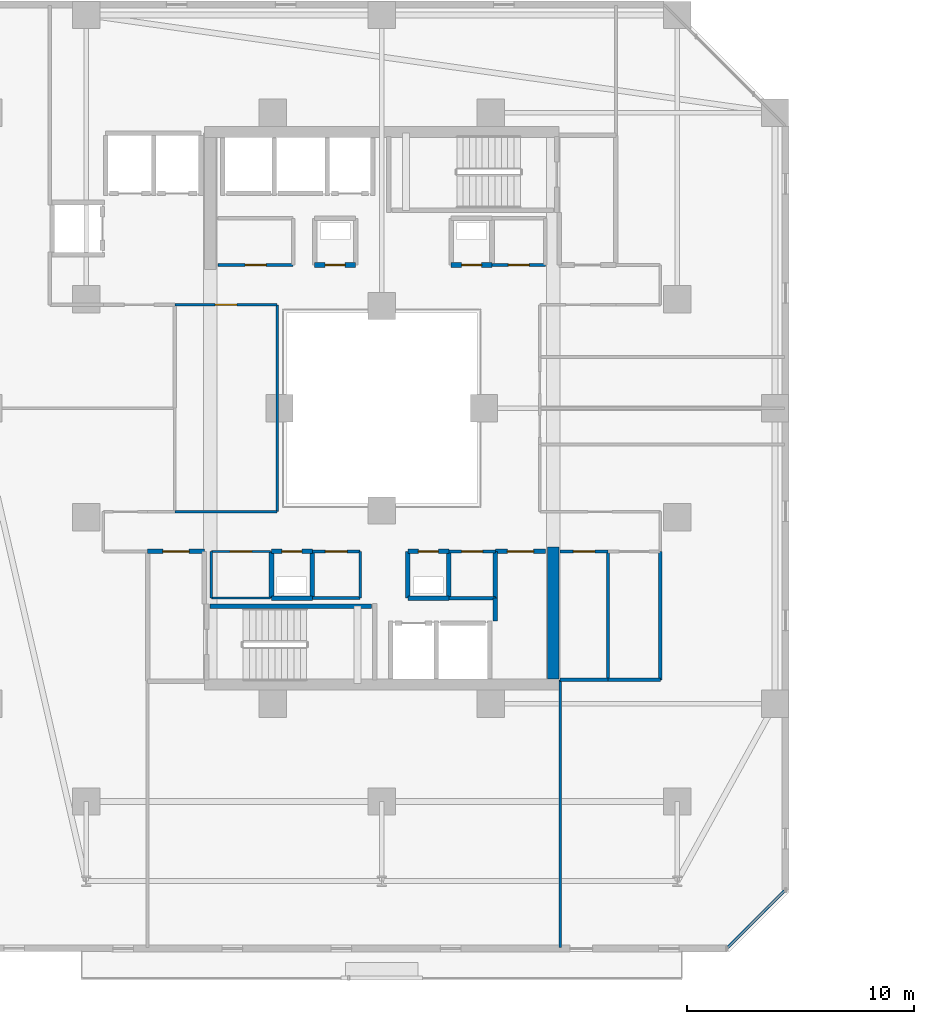
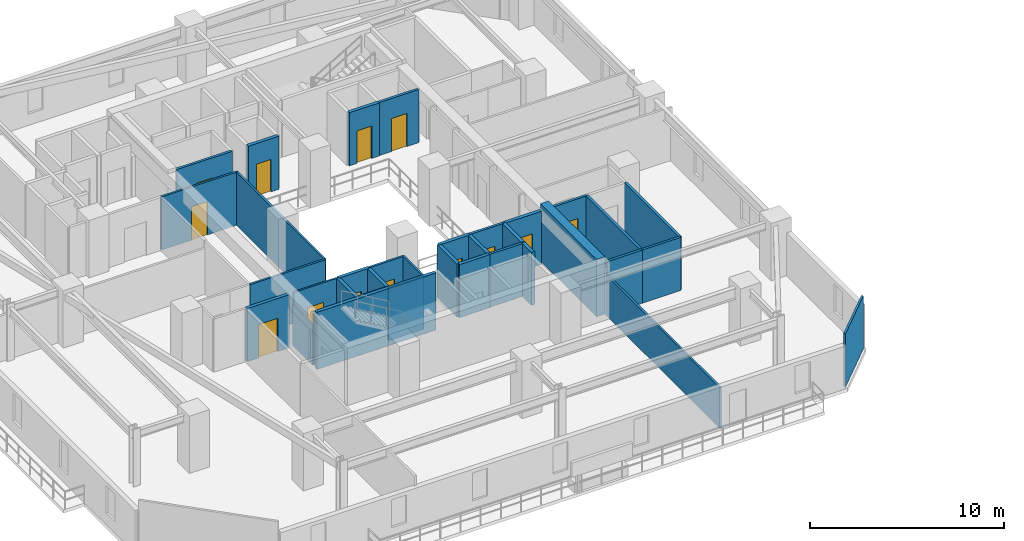
# One storey, part 19 of 33: 36 walls, 13 doors, 13 openings.
"""IFC4 building model written with IfcOpenShell, lengths in metres."""

from ifc_helpers import new_model, si_unit, direction, frame, frame_2d, origin, place, context, subcontext, project, spatial, rectangle, extrude, material, layer, layer_set, type_object, element, fill, save


model = new_model("IFC4")

# Units and contexts
model_context = context("Model", 3, precision=1e-05, world=origin(), true_north=direction((0.0, 1.0)))
body_context = subcontext(model_context, "Body", "Model", "MODEL_VIEW")
ifc_project = project(units=[si_unit("LENGTHUNIT", "METRE"), si_unit("AREAUNIT", "SQUARE_METRE"), si_unit("VOLUMEUNIT", "CUBIC_METRE"), si_unit("PLANEANGLEUNIT", "RADIAN"), si_unit("MASSUNIT", "GRAM", prefix="KILO")], contexts=[model_context])

# Site, building, storey
site_placement = place(None, origin())
site = spatial("IfcSite", under=ifc_project, at=site_placement, CompositionType="ELEMENT")
building_placement = place(site_placement, origin())
building = spatial("IfcBuilding", under=site, at=building_placement, Name="Thornwick Lancets Civic Towers", CompositionType="ELEMENT")
storey_placement = place(building_placement, frame((0.0, 0.0, 130.5)))
storey = spatial("IfcBuildingStorey", under=building, at=storey_placement, Name="L34", CompositionType="ELEMENT", Elevation=130.5)

# Wall, opening, door
ifc_material_1 = material(Name="Concrete blockwork C40/50", Category="masonry")
ifc_layer_1 = layer(ifc_material_1, 0.199951171875, Name="Concrete blockwork C40/50")
ifc_layer_set_1 = layer_set([ifc_layer_1], Name="Concrete blockwork C40/50")
wall_type_1 = type_object("IfcWallType", Name="WALL_COMP_200", PredefinedType="STANDARD", material=ifc_layer_set_1)
wall_1_placement = place(storey_placement, frame((17.699951171875, 20.699951171875, 0.0), z_axis=(0.0, 0.0, 1.0), x_axis=(-1.0, 0.0, 0.0)))
wall_1 = element("IfcWall", 1, at=wall_1_placement, inside=storey, type_object=wall_type_1, Name="L34 Partition L34-A-FFLOB1 E3", PredefinedType="STANDARD", context=body_context, shape_type="SweptSolid", body=[
    extrude(rectangle(XDim=2.5, YDim=0.199951171875, at=frame_2d((1.25, 0.0))), origin(), (0.0, 0.0, 1.0), 3.340087890625),
])
opening_1_placement = place(wall_1_placement, frame((0.675048828125, 0.0, 0.0)))
opening_1 = element("IfcOpeningElement", 2, at=opening_1_placement, cuts=wall_1, Name="Opening D-L34-1529", PredefinedType="OPENING", context=body_context, shape_type="SweptSolid", body=[
    extrude(rectangle(XDim=1.14990234375, YDim=2.10009765625, at=frame_2d((0.574951171875, 1.050048828125))), frame((0.0, 0.10986328125, 0.0), z_axis=(0.0, -1.0, 0.0), x_axis=(1.0, 0.0, 0.0)), (0.0, 0.0, 1.0), 0.219970703125),
])
ifc_material_2 = material(Name="Glazed fire-resisting steel", Category="steel")
door_type_1 = type_object("IfcDoorType", Name="DOOR_LOBBY_FD60", OperationType="NOTDEFINED", PredefinedType="DOOR", material=ifc_material_2)
door_1_placement = place(opening_1_placement, origin())
door_1 = element("IfcDoor", 3, at=door_1_placement, inside=storey, type_object=door_type_1, Name="L34 South Firefighting Lobby 1 Door", OperationType="SINGLE_SWING_RIGHT", OverallHeight=2.10009765625, OverallWidth=1.14990234375, PredefinedType="DOOR", context=body_context, shape_type="SweptSolid", body=[
    extrude(rectangle(XDim=1.14990234375, YDim=2.10009765625, at=frame_2d((0.574951171875, 1.050048828125))), frame((0.0, 0.02490234375, 0.0), z_axis=(0.0, -1.0, 0.0), x_axis=(1.0, 0.0, 0.0)), (0.0, 0.0, 1.0), 0.050048828125),
])
fill(opening_1, door_1)

# Walls
wall_2_placement = place(storey_placement, frame((26.64990234375, 18.64990234375, 0.0), z_axis=(0.0, 0.0, 1.0), x_axis=(1.0, 0.0, 0.0)))
element("IfcWall", 4, at=wall_2_placement, inside=storey, type_object=wall_type_1, Name="L34 Partition L34-A-DUCT1 E1", PredefinedType="STANDARD", context=body_context, shape_type="SweptSolid", body=[
    extrude(rectangle(XDim=1.800048828125, YDim=0.199951171875, at=frame_2d((0.89990234375, 0.0))), origin(), (0.0, 0.0, 1.0), 3.340087890625),
])
wall_3_placement = place(storey_placement, frame((28.449951171875, 18.64990234375, 0.0), z_axis=(0.0, 0.0, 1.0), x_axis=(0.0, 1.0, 0.0)))
element("IfcWall", 5, at=wall_3_placement, inside=storey, type_object=wall_type_1, Name="L34 Partition L34-A-DUCT1 E2", PredefinedType="STANDARD", context=body_context, shape_type="SweptSolid", body=[
    extrude(rectangle(XDim=2.050048828125, YDim=0.199951171875, at=frame_2d((1.02490234375, 0.0))), origin(), (0.0, 0.0, 1.0), 3.340087890625),
])

# Wall, opening, door
wall_4_placement = place(storey_placement, frame((28.449951171875, 20.699951171875, 0.0), z_axis=(0.0, 0.0, 1.0), x_axis=(-1.0, 0.0, 0.0)))
wall_4 = element("IfcWall", 6, at=wall_4_placement, inside=storey, type_object=wall_type_1, Name="L34 Partition L34-A-DUCT1 E3", PredefinedType="STANDARD", context=body_context, shape_type="SweptSolid", body=[
    extrude(rectangle(XDim=1.800048828125, YDim=0.199951171875, at=frame_2d((0.89990234375, 0.0))), origin(), (0.0, 0.0, 1.0), 3.340087890625),
])
opening_2_placement = place(wall_4_placement, frame((0.4599609375, 0.0, 0.0)))
opening_2 = element("IfcOpeningElement", 7, at=opening_2_placement, cuts=wall_4, Name="Opening D-L34-1531", PredefinedType="OPENING", context=body_context, shape_type="SweptSolid", body=[
    extrude(rectangle(XDim=0.8798828125, YDim=2.0400390625, at=frame_2d((0.43994140625, 1.02001953125))), frame((0.0, 0.10986328125, 0.0), z_axis=(0.0, -1.0, 0.0), x_axis=(1.0, 0.0, 0.0)), (0.0, 0.0, 1.0), 0.219970703125),
])
ifc_material_3 = material(Name="Steel riser access doorset", Category="steel")
door_type_2 = type_object("IfcDoorType", Name="DOOR_RISER_850", OperationType="NOTDEFINED", PredefinedType="DOOR", material=ifc_material_3)
door_2_placement = place(opening_2_placement, origin())
door_2 = element("IfcDoor", 8, at=door_2_placement, inside=storey, type_object=door_type_2, Name="L34 South Service Duct 1 Door", OperationType="SINGLE_SWING_RIGHT", OverallHeight=2.0400390625, OverallWidth=0.8798828125, PredefinedType="DOOR", context=body_context, shape_type="SweptSolid", body=[
    extrude(rectangle(XDim=0.8798828125, YDim=2.0400390625, at=frame_2d((0.43994140625, 1.02001953125))), frame((0.0, 0.02490234375, 0.0), z_axis=(0.0, -1.0, 0.0), x_axis=(1.0, 0.0, 0.0)), (0.0, 0.0, 1.0), 0.050048828125),
])
fill(opening_2, door_2)

# Walls
wall_5_placement = place(storey_placement, frame((26.64990234375, 20.699951171875, 0.0), z_axis=(0.0, 0.0, 1.0), x_axis=(0.0, -1.0, 0.0)))
element("IfcWall", 9, at=wall_5_placement, inside=storey, type_object=wall_type_1, Name="L34 Partition L34-A-DUCT1 E4", PredefinedType="STANDARD", context=body_context, shape_type="SweptSolid", body=[
    extrude(rectangle(XDim=2.050048828125, YDim=0.199951171875, at=frame_2d((1.02490234375, 0.0))), origin(), (0.0, 0.0, 1.0), 3.340087890625),
])
wall_6_placement = place(storey_placement, frame((20.64990234375, 18.64990234375, 0.0), z_axis=(0.0, 0.0, 1.0), x_axis=(1.0, 0.0, 0.0)))
element("IfcWall", 10, at=wall_6_placement, inside=storey, type_object=wall_type_1, Name="L34 Partition L34-A-RISER1 E1", PredefinedType="STANDARD", context=body_context, shape_type="SweptSolid", body=[
    extrude(rectangle(XDim=1.800048828125, YDim=0.199951171875, at=frame_2d((0.89990234375, 0.0))), origin(), (0.0, 0.0, 1.0), 3.340087890625),
])
wall_7_placement = place(storey_placement, frame((22.449951171875, 18.64990234375, 0.0), z_axis=(0.0, 0.0, 1.0), x_axis=(0.0, 1.0, 0.0)))
element("IfcWall", 11, at=wall_7_placement, inside=storey, type_object=wall_type_1, Name="L34 Partition L34-A-RISER1 E2", PredefinedType="STANDARD", context=body_context, shape_type="SweptSolid", body=[
    extrude(rectangle(XDim=2.050048828125, YDim=0.199951171875, at=frame_2d((1.02490234375, 0.0))), origin(), (0.0, 0.0, 1.0), 3.340087890625),
])

# Wall, opening, door
wall_8_placement = place(storey_placement, frame((22.449951171875, 20.699951171875, 0.0), z_axis=(0.0, 0.0, 1.0), x_axis=(-1.0, 0.0, 0.0)))
wall_8 = element("IfcWall", 12, at=wall_8_placement, inside=storey, type_object=wall_type_1, Name="L34 Partition L34-A-RISER1 E3", PredefinedType="STANDARD", context=body_context, shape_type="SweptSolid", body=[
    extrude(rectangle(XDim=1.800048828125, YDim=0.199951171875, at=frame_2d((0.89990234375, 0.0))), origin(), (0.0, 0.0, 1.0), 3.340087890625),
])
opening_3_placement = place(wall_8_placement, frame((0.4599609375, 0.0, 0.0)))
opening_3 = element("IfcOpeningElement", 13, at=opening_3_placement, cuts=wall_8, Name="Opening D-L34-1532", PredefinedType="OPENING", context=body_context, shape_type="SweptSolid", body=[
    extrude(rectangle(XDim=0.8798828125, YDim=2.0400390625, at=frame_2d((0.43994140625, 1.02001953125))), frame((0.0, 0.10986328125, 0.0), z_axis=(0.0, -1.0, 0.0), x_axis=(1.0, 0.0, 0.0)), (0.0, 0.0, 1.0), 0.219970703125),
])
door_3_placement = place(opening_3_placement, origin())
door_3 = element("IfcDoor", 14, at=door_3_placement, inside=storey, type_object=door_type_2, Name="L34 South Electrical Riser 1 Door", OperationType="SINGLE_SWING_LEFT", OverallHeight=2.0400390625, OverallWidth=0.8798828125, PredefinedType="DOOR", context=body_context, shape_type="SweptSolid", body=[
    extrude(rectangle(XDim=0.8798828125, YDim=2.0400390625, at=frame_2d((0.43994140625, 1.02001953125))), frame((0.0, 0.02490234375, 0.0), z_axis=(0.0, -1.0, 0.0), x_axis=(1.0, 0.0, 0.0)), (0.0, 0.0, 1.0), 0.050048828125),
])
fill(opening_3, door_3)

# Wall
wall_9_placement = place(storey_placement, frame((20.64990234375, 20.699951171875, 0.0), z_axis=(0.0, 0.0, 1.0), x_axis=(0.0, -1.0, 0.0)))
element("IfcWall", 15, at=wall_9_placement, inside=storey, type_object=wall_type_1, Name="L34 Partition L34-A-RISER1 E4", PredefinedType="STANDARD", context=body_context, shape_type="SweptSolid", body=[
    extrude(rectangle(XDim=2.050048828125, YDim=0.199951171875, at=frame_2d((1.02490234375, 0.0))), origin(), (0.0, 0.0, 1.0), 3.340087890625),
])

# Wall, opening, door
wall_10_placement = place(storey_placement, frame((22.550048828125, 33.300048828125, 0.0), z_axis=(0.0, 0.0, 1.0), x_axis=(1.0, 0.0, 0.0)))
wall_10 = element("IfcWall", 16, at=wall_10_placement, inside=storey, type_object=wall_type_1, Name="L34 Partition L34-A-DUCT2 E1", PredefinedType="STANDARD", context=body_context, shape_type="SweptSolid", body=[
    extrude(rectangle(XDim=1.800048828125, YDim=0.199951171875, at=frame_2d((0.89990234375, 0.0))), origin(), (0.0, 0.0, 1.0), 3.340087890625),
])
opening_4_placement = place(wall_10_placement, frame((0.4599609375, 0.0, 0.0)))
opening_4 = element("IfcOpeningElement", 17, at=opening_4_placement, cuts=wall_10, Name="Opening D-L34-1533", PredefinedType="OPENING", context=body_context, shape_type="SweptSolid", body=[
    extrude(rectangle(XDim=0.8798828125, YDim=2.0400390625, at=frame_2d((0.43994140625, 1.02001953125))), frame((0.0, 0.10986328125, 0.0), z_axis=(0.0, -1.0, 0.0), x_axis=(1.0, 0.0, 0.0)), (0.0, 0.0, 1.0), 0.219970703125),
])
door_4_placement = place(opening_4_placement, origin())
door_4 = element("IfcDoor", 18, at=door_4_placement, inside=storey, type_object=door_type_2, Name="L34 North Service Duct 2 Door", OperationType="SINGLE_SWING_RIGHT", OverallHeight=2.0400390625, OverallWidth=0.8798828125, PredefinedType="DOOR", context=body_context, shape_type="SweptSolid", body=[
    extrude(rectangle(XDim=0.8798828125, YDim=2.0400390625, at=frame_2d((0.43994140625, 1.02001953125))), frame((0.0, 0.02490234375, 0.0), z_axis=(0.0, -1.0, 0.0), x_axis=(1.0, 0.0, 0.0)), (0.0, 0.0, 1.0), 0.050048828125),
])
fill(opening_4, door_4)

wall_11_placement = place(storey_placement, frame((28.550048828125, 33.300048828125, 0.0), z_axis=(0.0, 0.0, 1.0), x_axis=(1.0, 0.0, 0.0)))
wall_11 = element("IfcWall", 19, at=wall_11_placement, inside=storey, type_object=wall_type_1, Name="L34 Partition L34-A-RISER2 E1", PredefinedType="STANDARD", context=body_context, shape_type="SweptSolid", body=[
    extrude(rectangle(XDim=1.800048828125, YDim=0.199951171875, at=frame_2d((0.89990234375, 0.0))), origin(), (0.0, 0.0, 1.0), 3.340087890625),
])
opening_5_placement = place(wall_11_placement, frame((0.4599609375, 0.0, 0.0)))
opening_5 = element("IfcOpeningElement", 20, at=opening_5_placement, cuts=wall_11, Name="Opening D-L34-1534", PredefinedType="OPENING", context=body_context, shape_type="SweptSolid", body=[
    extrude(rectangle(XDim=0.8798828125, YDim=2.0400390625, at=frame_2d((0.43994140625, 1.02001953125))), frame((0.0, 0.10986328125, 0.0), z_axis=(0.0, -1.0, 0.0), x_axis=(1.0, 0.0, 0.0)), (0.0, 0.0, 1.0), 0.219970703125),
])
door_5_placement = place(opening_5_placement, origin())
door_5 = element("IfcDoor", 21, at=door_5_placement, inside=storey, type_object=door_type_2, Name="L34 North Service Riser 2 Door", OperationType="SINGLE_SWING_LEFT", OverallHeight=2.0400390625, OverallWidth=0.8798828125, PredefinedType="DOOR", context=body_context, shape_type="SweptSolid", body=[
    extrude(rectangle(XDim=0.8798828125, YDim=2.0400390625, at=frame_2d((0.43994140625, 1.02001953125))), frame((0.0, 0.02490234375, 0.0), z_axis=(0.0, -1.0, 0.0), x_axis=(1.0, 0.0, 0.0)), (0.0, 0.0, 1.0), 0.050048828125),
])
fill(opening_5, door_5)

# Walls
wall_12_placement = place(storey_placement, frame((30.5, 17.64794921875, 0.0), z_axis=(0.0, 0.0, 1.0), x_axis=(0.0, 1.0, 0.0)))
element("IfcWall", 22, at=wall_12_placement, inside=storey, type_object=wall_type_1, Name="L34 Partition L34-A-STR2 E3", PredefinedType="STANDARD", context=body_context, shape_type="SweptSolid", body=[
    extrude(rectangle(XDim=1.001953125, YDim=0.199951171875, at=frame_2d((0.5009765625, 0.0))), origin(), (0.0, 0.0, 1.0), 3.340087890625),
])
wall_13_placement = place(storey_placement, frame((30.5, 18.64990234375, 0.0), z_axis=(0.0, 0.0, 1.0), x_axis=(0.0, 1.0, 0.0)))
element("IfcWall", 23, at=wall_13_placement, inside=storey, type_object=wall_type_1, Name="L34 Partition L34-A-STR2 E4", PredefinedType="STANDARD", context=body_context, shape_type="SweptSolid", body=[
    extrude(rectangle(XDim=2.050048828125, YDim=0.199951171875, at=frame_2d((1.02490234375, 0.0))), origin(), (0.0, 0.0, 1.0), 3.340087890625),
])

# Wall, opening, door
wall_14_placement = place(storey_placement, frame((30.5, 20.699951171875, 0.0), z_axis=(0.0, 0.0, 1.0), x_axis=(1.0, 0.0, 0.0)))
wall_14 = element("IfcWall", 24, at=wall_14_placement, inside=storey, type_object=wall_type_1, Name="L34 Partition L34-A-STR2 E5", PredefinedType="STANDARD", context=body_context, shape_type="SweptSolid", body=[
    extrude(rectangle(XDim=2.199951171875, YDim=0.199951171875, at=frame_2d((1.10009765625, 0.0))), origin(), (0.0, 0.0, 1.0), 3.340087890625),
])
opening_6_placement = place(wall_14_placement, frame((0.52490234375, 0.0, 0.0)))
opening_6 = element("IfcOpeningElement", 25, at=opening_6_placement, cuts=wall_14, Name="Opening D-L34-1538", PredefinedType="OPENING", context=body_context, shape_type="SweptSolid", body=[
    extrude(rectangle(XDim=1.14990234375, YDim=2.10009765625, at=frame_2d((0.574951171875, 1.050048828125))), frame((0.0, 0.10986328125, 0.0), z_axis=(0.0, -1.0, 0.0), x_axis=(1.0, 0.0, 0.0)), (0.0, 0.0, 1.0), 0.219970703125),
])
door_6_placement = place(opening_6_placement, origin())
door_6 = element("IfcDoor", 26, at=door_6_placement, inside=storey, type_object=door_type_1, Name="L34 Tower A Core Supplies Store Door", OperationType="SINGLE_SWING_LEFT", OverallHeight=2.10009765625, OverallWidth=1.14990234375, PredefinedType="DOOR", context=body_context, shape_type="SweptSolid", body=[
    extrude(rectangle(XDim=1.14990234375, YDim=2.10009765625, at=frame_2d((0.574951171875, 1.050048828125))), frame((0.0, 0.02490234375, 0.0), z_axis=(0.0, -1.0, 0.0), x_axis=(1.0, 0.0, 0.0)), (0.0, 0.0, 1.0), 0.050048828125),
])
fill(opening_6, door_6)

# Walls
ifc_material_4 = material(Name="Concrete C50/60", Category="concrete")
ifc_layer_2 = layer(ifc_material_4, 0.5, Name="Concrete C50/60")
ifc_layer_set_2 = layer_set([ifc_layer_2], Name="Concrete C50/60")
wall_type_2 = type_object("IfcWallType", Name="WALL_CORE_500", PredefinedType="SHEAR", material=ifc_layer_set_2)
wall_15_placement = place(storey_placement, frame((33.050048828125, 15.10009765625, 0.0), z_axis=(0.0, 0.0, 1.0), x_axis=(0.0, 1.0, 0.0)))
element("IfcWall", 27, at=wall_15_placement, inside=storey, type_object=wall_type_2, Name="L34 Split Core A1 Shear Wall E", PredefinedType="SHEAR", context=body_context, shape_type="SweptSolid", body=[
    extrude(rectangle(XDim=5.7998046875, YDim=0.5, at=frame_2d((2.89990234375, 0.0))), origin(), (0.0, 0.0, 1.0), 3.60009765625),
])
ifc_material_5 = material(Name="Lightweight cellular office partition")
ifc_layer_3 = layer(ifc_material_5, 0.10009765625, Name="Lightweight cellular office partition")
ifc_layer_set_3 = layer_set([ifc_layer_3], Name="Lightweight cellular office partition")
wall_type_3 = type_object("IfcWallType", Name="WALL_PART_100", PredefinedType="PARTITIONING", material=ifc_layer_set_3)
wall_16_placement = place(storey_placement, frame((18.0, 18.64990234375, 0.0), z_axis=(0.0, 0.0, 1.0), x_axis=(1.0, 0.0, 0.0)))
element("IfcWall", 28, at=wall_16_placement, inside=storey, type_object=wall_type_3, Name="L34 Partition L34-A-CLN E1", PredefinedType="PARTITIONING", context=body_context, shape_type="SweptSolid", body=[
    extrude(rectangle(XDim=2.60009765625, YDim=0.10009765625, at=frame_2d((1.300048828125, 0.0))), origin(), (0.0, 0.0, 1.0), 3.340087890625),
])

# Wall, opening, door
wall_17_placement = place(storey_placement, frame((20.60009765625, 20.699951171875, 0.0), z_axis=(0.0, 0.0, 1.0), x_axis=(-1.0, 0.0, 0.0)))
wall_17 = element("IfcWall", 29, at=wall_17_placement, inside=storey, type_object=wall_type_3, Name="L34 Partition L34-A-CLN E3", PredefinedType="PARTITIONING", context=body_context, shape_type="SweptSolid", body=[
    extrude(rectangle(XDim=2.60009765625, YDim=0.10009765625, at=frame_2d((1.300048828125, 0.0))), origin(), (0.0, 0.0, 1.0), 3.340087890625),
])
opening_7_placement = place(wall_17_placement, frame((0.824951171875, 0.0, 0.0)))
opening_7 = element("IfcOpeningElement", 30, at=opening_7_placement, cuts=wall_17, Name="Opening D-L34-1535", PredefinedType="OPENING", context=body_context, shape_type="SweptSolid", body=[
    extrude(rectangle(XDim=0.949951171875, YDim=2.10009765625, at=frame_2d((0.47509765625, 1.050048828125))), frame((0.0, 0.06005859375, 0.0), z_axis=(0.0, -1.0, 0.0), x_axis=(1.0, 0.0, 0.0)), (0.0, 0.0, 1.0), 0.1201171875),
])
ifc_material_6 = material(Name="European oak acoustic doorset")
door_type_3 = type_object("IfcDoorType", Name="DOOR_OFFICE_950", OperationType="NOTDEFINED", PredefinedType="DOOR", material=ifc_material_6)
door_7_placement = place(opening_7_placement, origin())
door_7 = element("IfcDoor", 31, at=door_7_placement, inside=storey, type_object=door_type_3, Name="L34 Tower A Cleaners Store Door", OperationType="SINGLE_SWING_RIGHT", OverallHeight=2.10009765625, OverallWidth=0.949951171875, PredefinedType="DOOR", context=body_context, shape_type="SweptSolid", body=[
    extrude(rectangle(XDim=0.949951171875, YDim=2.10009765625, at=frame_2d((0.47509765625, 1.050048828125))), frame((0.0, 0.02490234375, 0.0), z_axis=(0.0, -1.0, 0.0), x_axis=(1.0, 0.0, 0.0)), (0.0, 0.0, 1.0), 0.050048828125),
])
fill(opening_7, door_7)

# Walls
wall_18_placement = place(storey_placement, frame((18.0, 20.699951171875, 0.0), z_axis=(0.0, 0.0, 1.0), x_axis=(0.0, -1.0, 0.0)))
element("IfcWall", 32, at=wall_18_placement, inside=storey, type_object=wall_type_3, Name="L34 Partition L34-A-CLN E4", PredefinedType="PARTITIONING", context=body_context, shape_type="SweptSolid", body=[
    extrude(rectangle(XDim=2.050048828125, YDim=0.10009765625, at=frame_2d((1.02490234375, 0.0))), origin(), (0.0, 0.0, 1.0), 2.544921875),
])
ifc_material_7 = material(Name="Acoustic gypsum board partition")
ifc_layer_4 = layer(ifc_material_7, 0.1201171875, Name="Acoustic gypsum board partition")
ifc_layer_set_4 = layer_set([ifc_layer_4], Name="Acoustic gypsum board partition")
wall_type_4 = type_object("IfcWallType", Name="WALL_PART_120", PredefinedType="PARTITIONING", material=ifc_layer_set_4)
wall_19_placement = place(storey_placement, frame((24.550048828125, 20.699951171875, 0.0), z_axis=(0.0, 0.0, 1.0), x_axis=(0.0, -1.0, 0.0)))
element("IfcWall", 33, at=wall_19_placement, inside=storey, type_object=wall_type_4, Name="L34 Partition L34-A-ITR E1", PredefinedType="PARTITIONING", context=body_context, shape_type="SweptSolid", body=[
    extrude(rectangle(XDim=2.050048828125, YDim=0.1201171875, at=frame_2d((1.02490234375, 0.0))), origin(), (0.0, 0.0, 1.0), 3.340087890625),
])
wall_20_placement = place(storey_placement, frame((24.550048828125, 18.64990234375, 0.0), z_axis=(0.0, 0.0, 1.0), x_axis=(-1.0, 0.0, 0.0)))
element("IfcWall", 34, at=wall_20_placement, inside=storey, type_object=wall_type_4, Name="L34 Partition L34-A-ITR E2", PredefinedType="PARTITIONING", context=body_context, shape_type="SweptSolid", body=[
    extrude(rectangle(XDim=2.10009765625, YDim=0.1201171875, at=frame_2d((1.050048828125, 0.0))), origin(), (0.0, 0.0, 1.0), 3.340087890625),
])

# Wall, opening, door
wall_21_placement = place(storey_placement, frame((22.449951171875, 20.699951171875, 0.0), z_axis=(0.0, 0.0, 1.0), x_axis=(1.0, 0.0, 0.0)))
wall_21 = element("IfcWall", 35, at=wall_21_placement, inside=storey, type_object=wall_type_4, Name="L34 Partition L34-A-ITR E4", PredefinedType="PARTITIONING", context=body_context, shape_type="SweptSolid", body=[
    extrude(rectangle(XDim=2.10009765625, YDim=0.1201171875, at=frame_2d((1.050048828125, 0.0))), origin(), (0.0, 0.0, 1.0), 3.340087890625),
])
opening_8_placement = place(wall_21_placement, frame((0.574951171875, 0.0, 0.0)))
opening_8 = element("IfcOpeningElement", 36, at=opening_8_placement, cuts=wall_21, Name="Opening D-L34-1536", PredefinedType="OPENING", context=body_context, shape_type="SweptSolid", body=[
    extrude(rectangle(XDim=0.949951171875, YDim=2.10009765625, at=frame_2d((0.47509765625, 1.050048828125))), frame((0.0, 0.070068359375, 0.0), z_axis=(0.0, -1.0, 0.0), x_axis=(1.0, 0.0, 0.0)), (0.0, 0.0, 1.0), 0.14013671875),
])
door_8_placement = place(opening_8_placement, origin())
door_8 = element("IfcDoor", 37, at=door_8_placement, inside=storey, type_object=door_type_3, Name="L34 Tower A Comms Patch Room Door", OperationType="SINGLE_SWING_LEFT", OverallHeight=2.10009765625, OverallWidth=0.949951171875, PredefinedType="DOOR", context=body_context, shape_type="SweptSolid", body=[
    extrude(rectangle(XDim=0.949951171875, YDim=2.10009765625, at=frame_2d((0.47509765625, 1.050048828125))), frame((0.0, 0.02490234375, 0.0), z_axis=(0.0, -1.0, 0.0), x_axis=(1.0, 0.0, 0.0)), (0.0, 0.0, 1.0), 0.050048828125),
])
fill(opening_8, door_8)

wall_22_placement = place(storey_placement, frame((16.39990234375, 31.550048828125, 0.0), z_axis=(0.0, 0.0, 1.0), x_axis=(1.0, 0.0, 0.0)))
wall_22 = element("IfcWall", 38, at=wall_22_placement, inside=storey, type_object=wall_type_4, Name="L34 Partition L34-A-W3 E3", PredefinedType="PARTITIONING", context=body_context, shape_type="SweptSolid", body=[
    extrude(rectangle(XDim=4.5, YDim=0.1201171875, at=frame_2d((2.25, 0.0))), origin(), (0.0, 0.0, 1.0), 3.340087890625),
])
opening_9_placement = place(wall_22_placement, frame((1.77490234375, 0.0, 0.0)))
opening_9 = element("IfcOpeningElement", 39, at=opening_9_placement, cuts=wall_22, Name="Opening D-L34-1557", PredefinedType="OPENING", context=body_context, shape_type="SweptSolid", body=[
    extrude(rectangle(XDim=0.949951171875, YDim=2.10009765625, at=frame_2d((0.47509765625, 1.050048828125))), frame((0.0, 0.070068359375, 0.0), z_axis=(0.0, -1.0, 0.0), x_axis=(1.0, 0.0, 0.0)), (0.0, 0.0, 1.0), 0.14013671875),
])
door_9_placement = place(opening_9_placement, origin())
door_9 = element("IfcDoor", 40, at=door_9_placement, inside=storey, type_object=door_type_3, Name="L34 Tower A West Atrium Reading Lounge Door", OperationType="SINGLE_SWING_RIGHT", OverallHeight=2.10009765625, OverallWidth=0.949951171875, PredefinedType="DOOR", context=body_context, shape_type="SweptSolid", body=[
    extrude(rectangle(XDim=0.949951171875, YDim=2.10009765625, at=frame_2d((0.47509765625, 1.050048828125))), frame((0.0, 0.02490234375, 0.0), z_axis=(0.0, -1.0, 0.0), x_axis=(1.0, 0.0, 0.0)), (0.0, 0.0, 1.0), 0.050048828125),
])
fill(opening_9, door_9)

# Walls
wall_23_placement = place(storey_placement, frame((20.89990234375, 31.550048828125, 0.0), z_axis=(0.0, 0.0, 1.0), x_axis=(0.0, -1.0, 0.0)))
element("IfcWall", 41, at=wall_23_placement, inside=storey, type_object=wall_type_4, Name="L34 Partition L34-A-W3 E4", PredefinedType="PARTITIONING", context=body_context, shape_type="SweptSolid", body=[
    extrude(rectangle(XDim=9.10009765625, YDim=0.1201171875, at=frame_2d((4.550048828125, 0.0))), origin(), (0.0, 0.0, 1.0), 3.340087890625),
])
wall_24_placement = place(storey_placement, frame((20.89990234375, 22.449951171875, 0.0), z_axis=(0.0, 0.0, 1.0), x_axis=(-1.0, 0.0, 0.0)))
element("IfcWall", 42, at=wall_24_placement, inside=storey, type_object=wall_type_4, Name="L34 Partition L34-A-W3 E5", PredefinedType="PARTITIONING", context=body_context, shape_type="SweptSolid", body=[
    extrude(rectangle(XDim=4.5, YDim=0.1201171875, at=frame_2d((2.25, 0.0))), origin(), (0.0, 0.0, 1.0), 3.340087890625),
])
wall_25_placement = place(storey_placement, frame((33.35009765625, 3.280029296875, 0.0), z_axis=(0.0, 0.0, 1.0), x_axis=(0.0, 1.0, 0.0)))
element("IfcWall", 43, at=wall_25_placement, inside=storey, type_object=wall_type_4, Name="L34 Partition L34-A-E1 E2", PredefinedType="PARTITIONING", context=body_context, shape_type="SweptSolid", body=[
    extrude(rectangle(XDim=11.77001953125, YDim=0.1201171875, at=frame_2d((5.885009765625, 0.0))), origin(), (0.0, 0.0, 1.0), 2.544921875),
])
wall_26_placement = place(storey_placement, frame((43.219970703125, 5.774658203125, 0.0), z_axis=(0.0, 0.0, 1.0), x_axis=(-0.707106781187, -0.707106781187, 0.0)))
element("IfcWall", 44, at=wall_26_placement, inside=storey, type_object=wall_type_4, Name="L34 Partition L34-A-E1 E11", PredefinedType="PARTITIONING", context=body_context, shape_type="SweptSolid", body=[
    extrude(rectangle(XDim=3.52783203125, YDim=0.1201171875, at=frame_2d((1.763916015625, 0.0))), origin(), (0.0, 0.0, 1.0), 3.340087890625),
])
ifc_material_8 = material(Name="Twin-stud acoustic gypsum board")
ifc_layer_5 = layer(ifc_material_8, 0.14990234375, Name="Twin-stud acoustic gypsum board")
ifc_layer_set_5 = layer_set([ifc_layer_5], Name="Twin-stud acoustic gypsum board")
wall_type_5 = type_object("IfcWallType", Name="WALL_PART_150", PredefinedType="PARTITIONING", material=ifc_layer_set_5)
wall_27_placement = place(storey_placement, frame((30.5, 18.64990234375, 0.0), z_axis=(0.0, 0.0, 1.0), x_axis=(-1.0, 0.0, 0.0)))
element("IfcWall", 45, at=wall_27_placement, inside=storey, type_object=wall_type_5, Name="L34 Partition L34-A-AWC E2", PredefinedType="PARTITIONING", context=body_context, shape_type="SweptSolid", body=[
    extrude(rectangle(XDim=2.050048828125, YDim=0.14990234375, at=frame_2d((1.02490234375, 0.0))), origin(), (0.0, 0.0, 1.0), 3.340087890625),
])

# Wall, opening, door
wall_28_placement = place(storey_placement, frame((28.449951171875, 20.699951171875, 0.0), z_axis=(0.0, 0.0, 1.0), x_axis=(1.0, 0.0, 0.0)))
wall_28 = element("IfcWall", 46, at=wall_28_placement, inside=storey, type_object=wall_type_5, Name="L34 Partition L34-A-AWC E4", PredefinedType="PARTITIONING", context=body_context, shape_type="SweptSolid", body=[
    extrude(rectangle(XDim=2.050048828125, YDim=0.14990234375, at=frame_2d((1.02490234375, 0.0))), origin(), (0.0, 0.0, 1.0), 3.340087890625),
])
opening_10_placement = place(wall_28_placement, frame((0.56494140625, 0.0, 0.0)))
opening_10 = element("IfcOpeningElement", 47, at=opening_10_placement, cuts=wall_28, Name="Opening D-L34-1537", PredefinedType="OPENING", context=body_context, shape_type="SweptSolid", body=[
    extrude(rectangle(XDim=0.919921875, YDim=2.080078125, at=frame_2d((0.4599609375, 1.0400390625))), frame((0.0, 0.0849609375, 0.0), z_axis=(0.0, -1.0, 0.0), x_axis=(1.0, 0.0, 0.0)), (0.0, 0.0, 1.0), 0.169921875),
])
ifc_material_9 = material(Name="Moisture-resistant oak doorset")
door_type_4 = type_object("IfcDoorType", Name="DOOR_WC_900", OperationType="NOTDEFINED", PredefinedType="DOOR", material=ifc_material_9)
door_10_placement = place(opening_10_placement, origin())
door_10 = element("IfcDoor", 48, at=door_10_placement, inside=storey, type_object=door_type_4, Name="L34 Tower A Accessible WC Door", OperationType="SINGLE_SWING_RIGHT", OverallHeight=2.080078125, OverallWidth=0.919921875, PredefinedType="DOOR", context=body_context, shape_type="SweptSolid", body=[
    extrude(rectangle(XDim=0.919921875, YDim=2.080078125, at=frame_2d((0.4599609375, 1.0400390625))), frame((0.0, 0.02490234375, 0.0), z_axis=(0.0, -1.0, 0.0), x_axis=(1.0, 0.0, 0.0)), (0.0, 0.0, 1.0), 0.050048828125),
])
fill(opening_10, door_10)

wall_29_placement = place(storey_placement, frame((18.300048828125, 33.300048828125, 0.0), z_axis=(0.0, 0.0, 1.0), x_axis=(1.0, 0.0, 0.0)))
wall_29 = element("IfcWall", 49, at=wall_29_placement, inside=storey, type_object=wall_type_5, Name="L34 Partition L34-A-MWC E1", PredefinedType="PARTITIONING", context=body_context, shape_type="SweptSolid", body=[
    extrude(rectangle(XDim=3.300048828125, YDim=0.14990234375, at=frame_2d((1.64990234375, 0.0))), origin(), (0.0, 0.0, 1.0), 3.340087890625),
])
opening_11_placement = place(wall_29_placement, frame((1.18994140625, 0.0, 0.0)))
opening_11 = element("IfcOpeningElement", 50, at=opening_11_placement, cuts=wall_29, Name="Opening D-L34-1539", PredefinedType="OPENING", context=body_context, shape_type="SweptSolid", body=[
    extrude(rectangle(XDim=0.919921875, YDim=2.080078125, at=frame_2d((0.4599609375, 1.0400390625))), frame((0.0, 0.0849609375, 0.0), z_axis=(0.0, -1.0, 0.0), x_axis=(1.0, 0.0, 0.0)), (0.0, 0.0, 1.0), 0.169921875),
])
door_11_placement = place(opening_11_placement, origin())
door_11 = element("IfcDoor", 51, at=door_11_placement, inside=storey, type_object=door_type_4, Name="L34 Tower A Male WC Door", OperationType="SINGLE_SWING_RIGHT", OverallHeight=2.080078125, OverallWidth=0.919921875, PredefinedType="DOOR", context=body_context, shape_type="SweptSolid", body=[
    extrude(rectangle(XDim=0.919921875, YDim=2.080078125, at=frame_2d((0.4599609375, 1.0400390625))), frame((0.0, 0.02490234375, 0.0), z_axis=(0.0, -1.0, 0.0), x_axis=(1.0, 0.0, 0.0)), (0.0, 0.0, 1.0), 0.050048828125),
])
fill(opening_11, door_11)

wall_30_placement = place(storey_placement, frame((32.699951171875, 33.300048828125, 0.0), z_axis=(0.0, 0.0, 1.0), x_axis=(-1.0, 0.0, 0.0)))
wall_30 = element("IfcWall", 52, at=wall_30_placement, inside=storey, type_object=wall_type_5, Name="L34 Partition L34-A-FWC E2", PredefinedType="PARTITIONING", context=body_context, shape_type="SweptSolid", body=[
    extrude(rectangle(XDim=2.349853515625, YDim=0.14990234375, at=frame_2d((1.1748046875, 0.0))), origin(), (0.0, 0.0, 1.0), 3.340087890625),
])
opening_12_placement = place(wall_30_placement, frame((0.715087890625, 0.0, 0.0)))
opening_12 = element("IfcOpeningElement", 53, at=opening_12_placement, cuts=wall_30, Name="Opening D-L34-1540", PredefinedType="OPENING", context=body_context, shape_type="SweptSolid", body=[
    extrude(rectangle(XDim=0.919921875, YDim=2.080078125, at=frame_2d((0.4599609375, 1.0400390625))), frame((0.0, 0.0849609375, 0.0), z_axis=(0.0, -1.0, 0.0), x_axis=(1.0, 0.0, 0.0)), (0.0, 0.0, 1.0), 0.169921875),
])
door_12_placement = place(opening_12_placement, origin())
door_12 = element("IfcDoor", 54, at=door_12_placement, inside=storey, type_object=door_type_4, Name="L34 Tower A Female WC Door", OperationType="SINGLE_SWING_LEFT", OverallHeight=2.080078125, OverallWidth=0.919921875, PredefinedType="DOOR", context=body_context, shape_type="SweptSolid", body=[
    extrude(rectangle(XDim=0.919921875, YDim=2.080078125, at=frame_2d((0.4599609375, 1.0400390625))), frame((0.0, 0.02490234375, 0.0), z_axis=(0.0, -1.0, 0.0), x_axis=(1.0, 0.0, 0.0)), (0.0, 0.0, 1.0), 0.050048828125),
])
fill(opening_12, door_12)

# Wall
wall_31_placement = place(storey_placement, frame((35.449951171875, 15.050048828125, 0.0), z_axis=(0.0, 0.0, 1.0), x_axis=(-1.0, 0.0, 0.0)))
element("IfcWall", 55, at=wall_31_placement, inside=storey, type_object=wall_type_5, Name="L34 Partition L34-A-RECLAIM-L1 E1", PredefinedType="PARTITIONING", context=body_context, shape_type="SweptSolid", body=[
    extrude(rectangle(XDim=2.099853515625, YDim=0.14990234375, at=frame_2d((1.0498046875, 0.0))), origin(), (0.0, 0.0, 1.0), 3.340087890625),
])

# Wall, opening, door
wall_32_placement = place(storey_placement, frame((33.35009765625, 20.699951171875, 0.0), z_axis=(0.0, 0.0, 1.0), x_axis=(1.0, 0.0, 0.0)))
wall_32 = element("IfcWall", 56, at=wall_32_placement, inside=storey, type_object=wall_type_5, Name="L34 Partition L34-A-RECLAIM-L1 E3", PredefinedType="PARTITIONING", context=body_context, shape_type="SweptSolid", body=[
    extrude(rectangle(XDim=2.099853515625, YDim=0.14990234375, at=frame_2d((1.0498046875, 0.0))), origin(), (0.0, 0.0, 1.0), 3.340087890625),
])
opening_13_placement = place(wall_32_placement, frame((0.574951171875, 0.0, 0.0)))
opening_13 = element("IfcOpeningElement", 57, at=opening_13_placement, cuts=wall_32, Name="Opening D-L34-1553", PredefinedType="OPENING", context=body_context, shape_type="SweptSolid", body=[
    extrude(rectangle(XDim=0.949951171875, YDim=2.10009765625, at=frame_2d((0.47509765625, 1.050048828125))), frame((0.0, 0.0849609375, 0.0), z_axis=(0.0, -1.0, 0.0), x_axis=(1.0, 0.0, 0.0)), (0.0, 0.0, 1.0), 0.169921875),
])
door_13_placement = place(opening_13_placement, origin())
door_13 = element("IfcDoor", 58, at=door_13_placement, inside=storey, type_object=door_type_3, Name="L34 Tower A Policy Archive Door", OperationType="SINGLE_SWING_RIGHT", OverallHeight=2.10009765625, OverallWidth=0.949951171875, PredefinedType="DOOR", context=body_context, shape_type="SweptSolid", body=[
    extrude(rectangle(XDim=0.949951171875, YDim=2.10009765625, at=frame_2d((0.47509765625, 1.050048828125))), frame((0.0, 0.02490234375, 0.0), z_axis=(0.0, -1.0, 0.0), x_axis=(1.0, 0.0, 0.0)), (0.0, 0.0, 1.0), 0.050048828125),
])
fill(opening_13, door_13)

# Walls
wall_33_placement = place(storey_placement, frame((35.449951171875, 20.699951171875, 0.0), z_axis=(0.0, 0.0, 1.0), x_axis=(0.0, -1.0, 0.0)))
element("IfcWall", 59, at=wall_33_placement, inside=storey, type_object=wall_type_5, Name="L34 Partition L34-A-RECLAIM-L1 E4", PredefinedType="PARTITIONING", context=body_context, shape_type="SweptSolid", body=[
    extrude(rectangle(XDim=5.64990234375, YDim=0.14990234375, at=frame_2d((2.824951171875, 0.0))), origin(), (0.0, 0.0, 1.0), 3.340087890625),
])
wall_34_placement = place(storey_placement, frame((37.75, 15.050048828125, 0.0), z_axis=(0.0, 0.0, 1.0), x_axis=(-1.0, 0.0, 0.0)))
element("IfcWall", 60, at=wall_34_placement, inside=storey, type_object=wall_type_5, Name="L34 Partition L34-A-RECLAIM-L2 E1", PredefinedType="PARTITIONING", context=body_context, shape_type="SweptSolid", body=[
    extrude(rectangle(XDim=2.300048828125, YDim=0.14990234375, at=frame_2d((1.14990234375, 0.0))), origin(), (0.0, 0.0, 1.0), 3.340087890625),
])
wall_35_placement = place(storey_placement, frame((37.75, 20.699951171875, 0.0), z_axis=(0.0, 0.0, 1.0), x_axis=(0.0, -1.0, 0.0)))
element("IfcWall", 61, at=wall_35_placement, inside=storey, type_object=wall_type_5, Name="L34 Partition L34-A-RECLAIM-L2 E4", PredefinedType="PARTITIONING", context=body_context, shape_type="SweptSolid", body=[
    extrude(rectangle(XDim=5.64990234375, YDim=0.14990234375, at=frame_2d((2.824951171875, 0.0))), origin(), (0.0, 0.0, 1.0), 3.340087890625),
])
ifc_material_10 = material(Name="Concrete C40/50", Category="concrete")
ifc_layer_6 = layer(ifc_material_10, 0.199951171875, Name="Concrete C40/50")
ifc_layer_set_6 = layer_set([ifc_layer_6], Name="Concrete C40/50")
wall_type_6 = type_object("IfcWallType", Name="WALL_SHAFT_200", PredefinedType="SHEAR", material=ifc_layer_set_6)
wall_36_placement = place(storey_placement, frame((25.050048828125, 18.297119140625, 0.0), z_axis=(0.0, 0.0, 1.0), x_axis=(-1.0, 0.0, 0.0)))
element("IfcWall", 62, at=wall_36_placement, inside=storey, type_object=wall_type_6, Name="L34 ST-A1 Fire Stair Core Wall RIGHT", PredefinedType="SHEAR", context=body_context, shape_type="SweptSolid", body=[
    extrude(rectangle(XDim=7.10009765625, YDim=0.199951171875, at=frame_2d((3.550048828125, 0.0))), origin(), (0.0, 0.0, 1.0), 3.60009765625),
])

save(model, "model.ifc")
